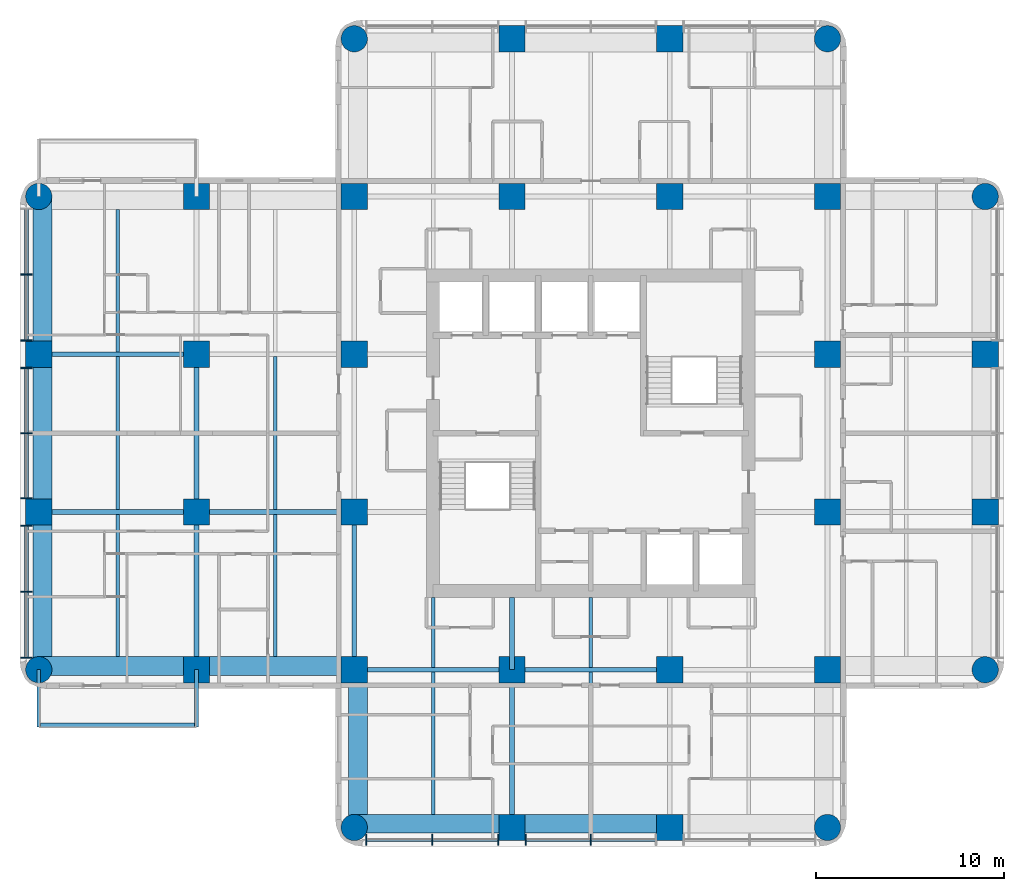
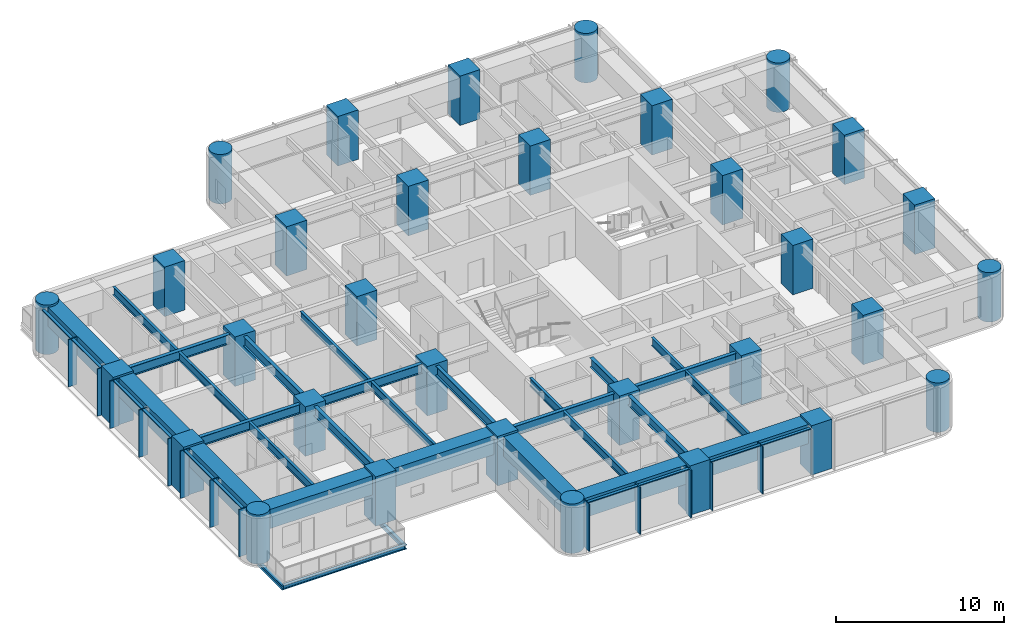
# One storey, part 1 of 12: 32 columns, 30 beams, 23 members, 2 elements without a shape of their own.
"""IFC4 building model written with IfcOpenShell, lengths in metres."""

import ifcopenshell
import ifcopenshell.guid

model = None  # the IFC model being written
_history = None  # IfcOwnerHistory: only IFC2X3 demands one
_inside = {}  # id of a spatial element -> (the spatial element, [elements in it])
_under = {}  # id of a project, library or spatial element -> (it, [spatial elements below it])
_declared = {}  # id of a project -> (the project, [libraries it declares])
_typed = {}  # id of a type object -> (the type object, [elements of that type])
_made_of = {}  # id of a material, layer set ... -> (it, [elements and type objects made of it])


def new_model(schema):
    """Start an empty IFC model of exactly this schema.

    Asked for "IFC4X3", IfcOpenShell would pick the latest addendum, in which some entities
    have other attributes; the version numbers below select the first issue.
    IFC2X3 requires an IfcOwnerHistory on every rooted entity: one is made here for all.
    """
    global model, _history
    if schema == "IFC4X3":
        model = ifcopenshell.file(schema_version=(4, 3, 0, 0))
    else:
        model = ifcopenshell.file(schema=schema)
    _inside.clear()
    _under.clear()
    _declared.clear()
    _typed.clear()
    _made_of.clear()
    _history = None
    if model.schema == "IFC2X3":
        org = make("IfcOrganization", Name="unknown")
        user = make(
            "IfcPersonAndOrganization",
            ThePerson=make("IfcPerson", FamilyName="unknown"),
            TheOrganization=org,
        )
        app = make(
            "IfcApplication",
            ApplicationDeveloper=org,
            Version="unknown",
            ApplicationFullName="unknown",
            ApplicationIdentifier="unknown",
        )
        _history = make(
            "IfcOwnerHistory",
            OwningUser=user,
            OwningApplication=app,
            ChangeAction="ADDED",
            CreationDate=0,
        )
    return model


def make(cls, **values):
    """One entity of the class cls with the attributes given. An attribute that is None is left unset."""
    return model.create_entity(
        cls, **{name: value for name, value in values.items() if value is not None}
    )


def rooted(cls, **values):
    """An entity with a GlobalId (a new one), such as an element, a storey or a relation."""
    return make(cls, GlobalId=ifcopenshell.guid.new(), OwnerHistory=_history, **values)


def si_unit(unit_type, name, prefix=None):
    """IfcSIUnit, for example si_unit("LENGTHUNIT", "METRE", prefix="MILLI")."""
    return make("IfcSIUnit", UnitType=unit_type, Prefix=prefix, Name=name)


def assignment(units):
    """IfcUnitAssignment: the units of a project."""
    return None if units is None else make("IfcUnitAssignment", Units=units)


def point(xyz):
    """IfcCartesianPoint."""
    return None if xyz is None else make("IfcCartesianPoint", Coordinates=xyz)


def direction(xyz):
    """IfcDirection."""
    return None if xyz is None else make("IfcDirection", DirectionRatios=xyz)


def frame(location, z_axis=None, x_axis=None):
    """IfcAxis2Placement3D, a coordinate frame: its origin and axes. An axis left out is left unset."""
    return make(
        "IfcAxis2Placement3D",
        Location=point(location),
        Axis=direction(z_axis),
        RefDirection=direction(x_axis),
    )


def frame_2d(location, x_axis=None):
    """IfcAxis2Placement2D, a coordinate frame in the plane: its origin and x axis."""
    return make(
        "IfcAxis2Placement2D", Location=point(location), RefDirection=direction(x_axis)
    )


def origin():
    """The frame at (0, 0, 0) with its axes left unset."""
    return frame((0.0, 0.0, 0.0))


def origin_2d():
    """The frame at (0, 0) in the plane with its x axis left unset."""
    return frame_2d((0.0, 0.0))


def place(relative_to, where):
    """IfcLocalPlacement: puts the frame where relative to a parent placement (None: the world)."""
    return make(
        "IfcLocalPlacement", PlacementRelTo=relative_to, RelativePlacement=where
    )


def context(
    kind, dimensions, precision=None, world=None, true_north=None, identifier=None
):
    """IfcGeometricRepresentationContext, for example the 3D "Model" context."""
    return make(
        "IfcGeometricRepresentationContext",
        ContextIdentifier=identifier,
        ContextType=kind,
        CoordinateSpaceDimension=dimensions,
        Precision=precision,
        WorldCoordinateSystem=world,
        TrueNorth=true_north,
    )


def subcontext(parent, identifier, kind, view, scale=None):
    """IfcGeometricRepresentationSubContext, for example "Body" below "Model"."""
    return make(
        "IfcGeometricRepresentationSubContext",
        ContextIdentifier=identifier,
        ContextType=kind,
        ParentContext=parent,
        TargetScale=scale,
        TargetView=view,
    )


def project(units=None, contexts=None):
    """IfcProject with its units and contexts."""
    return rooted(
        "IfcProject",
        Name="project",
        RepresentationContexts=contexts,
        UnitsInContext=assignment(units),
    )


def spatial(cls, under=None, at=None, **own):
    """A site, building, storey or space (cls), placed at a placement, below another one or the project."""
    s = rooted(cls, ObjectPlacement=at, **own)
    if under is not None:
        _under.setdefault(under.id(), (under, []))[1].append(s)
    return s


def profile(cls, at=None, kind="AREA", **sizes):
    """A parametric profile (cls). Its sizes go by their IFC names, for example OverallWidth=200.0."""
    return make(cls, ProfileType=kind, Position=at, **sizes)


def rectangle(**sizes):
    """IfcRectangleProfileDef."""
    return profile("IfcRectangleProfileDef", **sizes)


def circle(**sizes):
    """IfcCircleProfileDef."""
    return profile("IfcCircleProfileDef", **sizes)


def i_section(**sizes):
    """IfcIShapeProfileDef."""
    return profile("IfcIShapeProfileDef", **sizes)


def extrude(swept, where, along, depth):
    """IfcExtrudedAreaSolid: the profile swept, set in the frame where, extruded along a direction by depth."""
    return make(
        "IfcExtrudedAreaSolid",
        SweptArea=swept,
        Position=where,
        ExtrudedDirection=direction(along),
        Depth=depth,
    )


def shape(context_of_items, identifier, shape_type, items):
    """IfcShapeRepresentation: the items that make up one representation, for example the "Body"."""
    return make(
        "IfcShapeRepresentation",
        ContextOfItems=context_of_items,
        RepresentationIdentifier=identifier,
        RepresentationType=shape_type,
        Items=items,
    )


def material(Name=None, Category=None):
    """IfcMaterial."""
    return make("IfcMaterial", Name=Name, Category=Category)


def material_profile(
    of_material, cross_section, Name=None, Category=None, Priority=None
):
    """IfcMaterialProfile: a cross section and its material."""
    return make(
        "IfcMaterialProfile",
        Name=Name,
        Material=of_material,
        Profile=cross_section,
        Priority=Priority,
        Category=Category,
    )


def profile_set(profiles, Name=None, composite=None):
    """IfcMaterialProfileSet."""
    return make(
        "IfcMaterialProfileSet",
        Name=Name,
        MaterialProfiles=profiles,
        CompositeProfile=composite,
    )


def made_of(thing, what):
    """Note that an element or type object is made of a material, layer set ...; save() writes the relation."""
    if what is not None:
        _made_of.setdefault(what.id(), (what, []))[1].append(thing)
    return thing


def type_object(cls, material=None, **own):
    """A type object (cls), such as IfcWallType, which elements share."""
    return made_of(rooted(cls, **own), material)


def element(
    cls,
    number,
    at=None,
    inside=None,
    cuts=None,
    type_object=None,
    material=None,
    context=None,
    identifier="Body",
    shape_type=None,
    held_by="IfcProductDefinitionShape",
    body=None,
    shapes=None,
    **own,
):
    """One element of the class cls, such as IfcWall. Its Tag is "e" and its number.

    at: its placement. inside: the storey or other place that contains it. cuts: it is an
    opening in that element (IfcRelVoidsElement). A single representation is given by context,
    identifier, shape_type and body (its items); several are given by shapes. held_by: the class
    of the entity that holds the representations. save() writes the other relations.
    """
    e = rooted(cls, Tag="e%d" % number, ObjectPlacement=at, **own)
    if body is not None:
        shapes = [shape(context, identifier, shape_type, body)]
    if shapes is not None:
        e.Representation = make(held_by, Representations=shapes)
    if inside is not None:
        _inside.setdefault(inside.id(), (inside, []))[1].append(e)
    if cuts is not None:
        rooted(
            "IfcRelVoidsElement", RelatingBuildingElement=cuts, RelatedOpeningElement=e
        )
    if type_object is not None:
        _typed.setdefault(type_object.id(), (type_object, []))[1].append(e)
    return made_of(e, material)


def aggregate(whole, parts):
    """IfcRelAggregates: a whole, such as a stair, and the parts it consists of."""
    return rooted("IfcRelAggregates", RelatingObject=whole, RelatedObjects=parts)


def save(model, path):
    """Write the relations noted so far, then the file.

    IfcRelAggregates (storeys below a building ...), IfcRelContainedInSpatialStructure (elements
    in a storey), IfcRelDefinesByType, IfcRelAssociatesMaterial and IfcRelDeclares: one each for
    every whole, place, type object, material and project.
    """
    for whole, parts in _under.values():
        aggregate(whole, parts)
    for where, things in _inside.values():
        rooted(
            "IfcRelContainedInSpatialStructure",
            RelatedElements=things,
            RelatingStructure=where,
        )
    for kind, things in _typed.values():
        rooted("IfcRelDefinesByType", RelatedObjects=things, RelatingType=kind)
    for what, things in _made_of.values():
        rooted("IfcRelAssociatesMaterial", RelatedObjects=things, RelatingMaterial=what)
    for by, libraries in _declared.values():
        rooted("IfcRelDeclares", RelatingContext=by, RelatedDefinitions=libraries)
    model.write(path)


model = new_model("IFC4")

# Units and contexts
model_context = context("Model", 3, precision=1e-05, world=origin(), true_north=direction((0.0, 1.0)))
body_context = subcontext(model_context, "Body", "Model", "MODEL_VIEW")
ifc_project = project(units=[si_unit("LENGTHUNIT", "METRE"), si_unit("AREAUNIT", "SQUARE_METRE"), si_unit("VOLUMEUNIT", "CUBIC_METRE"), si_unit("PLANEANGLEUNIT", "RADIAN"), si_unit("MASSUNIT", "GRAM", prefix="KILO")], contexts=[model_context])

# Site, building, storey
site_placement = place(None, origin())
site = spatial("IfcSite", under=ifc_project, at=site_placement, CompositionType="ELEMENT")
building_placement = place(site_placement, origin())
building = spatial("IfcBuilding", under=site, at=building_placement, Name="Torre Alcanfor", CompositionType="ELEMENT")
storey_placement = place(building_placement, frame((0.0, 0.0, 226.5)))
storey = spatial("IfcBuildingStorey", under=building, at=storey_placement, Name="L59", CompositionType="ELEMENT", Elevation=226.5)

# Columns
ifc_material_1 = material(Name="Concrete f'c 70 MPa", Category="concrete")
ifc_material_profile_1 = material_profile(ifc_material_1, rectangle(XDim=1.39990234375, YDim=1.39990234375, at=origin_2d()), Name="1400x1400")
ifc_profile_set_1 = profile_set([ifc_material_profile_1], Name="Concrete f'c 70 MPa")
column_type_1 = type_object("IfcColumnType", Name="RC column 1400x1400 f'c70", PredefinedType="COLUMN", material=ifc_profile_set_1)
for number, where, z_axis, x_axis, name in (
    (1, (0.0, 25.199951171875, 0.0), (0.0, 0.0, 1.0), (1.0, 0.0, 0.0), "Column 1/F L59"),
    (2, (0.0, 33.60009765625, 0.0), (0.0, 0.0, 1.0), (1.0, 0.0, 0.0), "Column 1/G L59"),
    (3, (8.39990234375, 16.800048828125, 0.0), (0.0, 0.0, 1.0), (1.0, 0.0, 0.0), "Column 2/E L59"),
    (4, (8.39990234375, 25.199951171875, 0.0), (0.0, 0.0, 1.0), (1.0, 0.0, 0.0), "Column 2/F L59"),
    (5, (8.39990234375, 33.60009765625, 0.0), (0.0, 0.0, 1.0), (1.0, 0.0, 0.0), "Column 2/G L59"),
    (6, (8.39990234375, 42.0, 0.0), (0.0, 0.0, 1.0), (1.0, 0.0, 0.0), "Column 2/H L59"),
    (7, (16.800048828125, 16.800048828125, 0.0), (0.0, 0.0, 1.0), (1.0, 0.0, 0.0), "Column 3/E L59"),
    (8, (16.800048828125, 25.199951171875, 0.0), (0.0, 0.0, 1.0), (1.0, 0.0, 0.0), "Column 3/F L59"),
    (9, (16.800048828125, 33.60009765625, 0.0), (0.0, 0.0, 1.0), (1.0, 0.0, 0.0), "Column 3/G L59"),
    (10, (16.800048828125, 42.0, 0.0), (0.0, 0.0, 1.0), (1.0, 0.0, 0.0), "Column 3/H L59"),
    (11, (25.199951171875, 8.39990234375, 0.0), (0.0, 0.0, 1.0), (1.0, 0.0, 0.0), "Column 4/D L59"),
    (12, (25.199951171875, 16.800048828125, 0.0), (0.0, 0.0, 1.0), (1.0, 0.0, 0.0), "Column 4/E L59"),
    (13, (25.199951171875, 42.0, 0.0), (0.0, 0.0, 1.0), (1.0, 0.0, 0.0), "Column 4/H L59"),
    (14, (25.199951171875, 50.39990234375, 0.0), (0.0, 0.0, 1.0), (1.0, 0.0, 0.0), "Column 4/J L59"),
    (15, (33.60009765625, 8.39990234375, 0.0), (0.0, 0.0, 1.0), (1.0, 0.0, 0.0), "Column 5/D L59"),
    (16, (33.60009765625, 16.800048828125, 0.0), (0.0, 0.0, 1.0), (1.0, 0.0, 0.0), "Column 5/E L59"),
    (17, (33.60009765625, 42.0, 0.0), (0.0, 0.0, 1.0), (1.0, 0.0, 0.0), "Column 5/H L59"),
    (18, (33.60009765625, 50.39990234375, 0.0), (0.0, 0.0, 1.0), (1.0, 0.0, 0.0), "Column 5/J L59"),
    (19, (42.0, 16.800048828125, 0.0), (0.0, 0.0, 1.0), (1.0, 0.0, 0.0), "Column 6/E L59"),
    (20, (42.0, 25.199951171875, 0.0), (0.0, 0.0, 1.0), (1.0, 0.0, 0.0), "Column 6/F L59"),
    (21, (42.0, 33.60009765625, 0.0), (0.0, 0.0, 1.0), (1.0, 0.0, 0.0), "Column 6/G L59"),
    (22, (42.0, 42.0, 0.0), (0.0, 0.0, 1.0), (1.0, 0.0, 0.0), "Column 6/H L59"),
    (23, (50.39990234375, 25.199951171875, 0.0), (0.0, 0.0, 1.0), (1.0, 0.0, 0.0), "Column 7/F L59"),
    (24, (50.39990234375, 33.60009765625, 0.0), (0.0, 0.0, 1.0), (1.0, 0.0, 0.0), "Column 7/G L59"),
):
    element("IfcColumn", number, at=place(storey_placement, frame(where, z_axis=z_axis, x_axis=x_axis)), inside=storey, type_object=column_type_1, Name=name, PredefinedType="COLUMN", context=body_context, shape_type="SweptSolid", body=[
        extrude(rectangle(XDim=1.39990234375, YDim=1.39990234375, at=origin_2d()), origin(), (0.0, 0.0, 1.0), 3.60009765625),
    ])
ifc_material_2 = material(Name="Concrete f'c 70 MPa", Category="concrete")
ifc_material_profile_2 = material_profile(ifc_material_2, circle(Radius=0.699951171875, at=origin_2d()), Name="D1400")
ifc_profile_set_2 = profile_set([ifc_material_profile_2], Name="Concrete f'c 70 MPa")
column_type_2 = type_object("IfcColumnType", Name="RC column D1400 f'c70", PredefinedType="COLUMN", material=ifc_profile_set_2)
for number, where, z_axis, x_axis, name in (
    (25, (0.0, 16.800048828125, 0.0), (0.0, 0.0, 1.0), (1.0, 0.0, 0.0), "Column 1/E L59"),
    (26, (0.0, 42.0, 0.0), (0.0, 0.0, 1.0), (1.0, 0.0, 0.0), "Column 1/H L59"),
    (27, (16.800048828125, 8.39990234375, 0.0), (0.0, 0.0, 1.0), (1.0, 0.0, 0.0), "Column 3/D L59"),
    (28, (16.800048828125, 50.39990234375, 0.0), (0.0, 0.0, 1.0), (1.0, 0.0, 0.0), "Column 3/J L59"),
    (29, (42.0, 8.39990234375, 0.0), (0.0, 0.0, 1.0), (1.0, 0.0, 0.0), "Column 6/D L59"),
    (30, (42.0, 50.39990234375, 0.0), (0.0, 0.0, 1.0), (1.0, 0.0, 0.0), "Column 6/J L59"),
    (31, (50.39990234375, 16.800048828125, 0.0), (0.0, 0.0, 1.0), (1.0, 0.0, 0.0), "Column 7/E L59"),
    (32, (50.39990234375, 42.0, 0.0), (0.0, 0.0, 1.0), (1.0, 0.0, 0.0), "Column 7/H L59"),
):
    element("IfcColumn", number, at=place(storey_placement, frame(where, z_axis=z_axis, x_axis=x_axis)), inside=storey, type_object=column_type_2, Name=name, PredefinedType="COLUMN", context=body_context, shape_type="SweptSolid", body=[
        extrude(circle(Radius=0.699951171875, at=origin_2d()), origin(), (0.0, 0.0, 1.0), 3.60009765625),
    ])

# Beams
ifc_material_3 = material(Name="Steel ASTM A992 Grade 50", Category="steel")
ifc_material_profile_3 = material_profile(ifc_material_3, i_section(OverallWidth=0.205322265625, OverallDepth=0.309814453125, WebThickness=0.00927734375, FlangeThickness=0.016357421875, at=origin_2d()), Name="W12x50")
ifc_profile_set_3 = profile_set([ifc_material_profile_3], Name="Steel ASTM A992 Grade 50")
beam_type_1 = type_object("IfcBeamType", Name="Balcony cantilever beam W12x50", PredefinedType="BEAM", material=ifc_profile_set_3)
for number, where, z_axis, x_axis, name in (
    (33, (8.39990234375, 16.800048828125, -0.35498046875), (0.0, -1.0, 0.0), (1.0, 0.0, 0.0), "Balcony cantilever beam L59-W1 1"),
    (34, (0.0, 16.800048828125, -0.35498046875), (0.0, -1.0, 0.0), (1.0, 0.0, 0.0), "Balcony cantilever beam L59-W1 2"),
):
    element("IfcBeam", number, at=place(storey_placement, frame(where, z_axis=z_axis, x_axis=x_axis)), inside=storey, type_object=beam_type_1, Name=name, PredefinedType="BEAM", context=body_context, shape_type="SweptSolid", body=[
        extrude(i_section(OverallWidth=0.205322265625, OverallDepth=0.309814453125, WebThickness=0.00927734375, FlangeThickness=0.016357421875, at=origin_2d()), origin(), (0.0, 0.0, 1.0), 3.050048828125),
    ])
ifc_material_4 = material(Name="Steel ASTM A992 Grade 50", Category="steel")
ifc_material_profile_4 = material_profile(ifc_material_4, i_section(OverallWidth=0.203369140625, OverallDepth=0.30224609375, WebThickness=0.007568359375, FlangeThickness=0.01318359375, at=origin_2d()), Name="W12x40")
ifc_profile_set_4 = profile_set([ifc_material_profile_4], Name="Steel ASTM A992 Grade 50")
beam_type_2 = type_object("IfcBeamType", Name="Balcony edge trimmer W12x40", PredefinedType="BEAM", material=ifc_profile_set_4)
beam_1_placement = place(storey_placement, frame((8.39990234375, 13.851806640625, -0.35107421875), z_axis=(-1.0, 0.0, 0.0), x_axis=(0.0, -1.0, 0.0)))
element("IfcBeam", 35, at=beam_1_placement, inside=storey, type_object=beam_type_2, Name="Balcony edge trimmer L59-W1", PredefinedType="BEAM", context=body_context, shape_type="SweptSolid", body=[
    extrude(i_section(OverallWidth=0.203369140625, OverallDepth=0.30224609375, WebThickness=0.007568359375, FlangeThickness=0.01318359375, at=origin_2d()), origin(), (0.0, 0.0, 1.0), 8.39990234375),
])

# Curtain wall, members
ifc_material_5 = material(Name="Aluminium and glass", Category="aluminium")
curtain_wall_type = type_object("IfcCurtainWallType", Name="CW-A unitised apartment glazing with vertical FIN", PredefinedType="NOTDEFINED", material=ifc_material_5)
curtain_wall_1_placement = place(storey_placement, origin())
curtain_wall_1 = element("IfcCurtainWall", 36, at=curtain_wall_1_placement, inside=storey, type_object=curtain_wall_type, Name="Curtain wall CW-A L59 2", PredefinedType="NOTDEFINED")
ifc_material_6 = material(Name="Bronze anodised aluminium", Category="aluminium")
ifc_material_profile_5 = material_profile(ifc_material_6, rectangle(XDim=0.60009765625, YDim=0.06494140625, at=origin_2d()), Name="CW-A mullion 65x600")
ifc_profile_set_5 = profile_set([ifc_material_profile_5], Name="Bronze anodised aluminium")
member_type_1 = type_object("IfcMemberType", Name="CW-A mullion with vertical FIN 65x600", PredefinedType="MULLION", material=ifc_profile_set_5)
member_1_placement = place(storey_placement, frame((-0.64990234375, 37.846435546875, 0.0), z_axis=(0.0, 0.0, 1.0), x_axis=(1.0, 0.0, 0.0)))
member_1 = element("IfcMember", 37, at=member_1_placement, type_object=member_type_1, Name="CW-A mullion 1.2", PredefinedType="MULLION", context=body_context, shape_type="SweptSolid", body=[
    extrude(rectangle(XDim=0.60009765625, YDim=0.06494140625, at=origin_2d()), origin(), (0.0, 0.0, 1.0), 3.449951171875),
])
member_2_placement = place(storey_placement, frame((-0.64990234375, 34.33740234375, 0.0), z_axis=(0.0, 0.0, 1.0), x_axis=(1.0, 0.0, 0.0)))
member_2 = element("IfcMember", 38, at=member_2_placement, type_object=member_type_1, Name="CW-A mullion 1.3", PredefinedType="MULLION", context=body_context, shape_type="SweptSolid", body=[
    extrude(rectangle(XDim=0.60009765625, YDim=0.06494140625, at=origin_2d()), origin(), (0.0, 0.0, 1.0), 3.449951171875),
])
member_3_placement = place(storey_placement, frame((-0.64990234375, 32.862548828125, 0.0), z_axis=(0.0, 0.0, 1.0), x_axis=(1.0, 0.0, 0.0)))
member_3 = element("IfcMember", 39, at=member_3_placement, type_object=member_type_1, Name="CW-A mullion 2.1", PredefinedType="MULLION", context=body_context, shape_type="SweptSolid", body=[
    extrude(rectangle(XDim=0.60009765625, YDim=0.06494140625, at=origin_2d()), origin(), (0.0, 0.0, 1.0), 3.449951171875),
])
member_4_placement = place(storey_placement, frame((-0.64990234375, 29.39990234375, 0.0), z_axis=(0.0, 0.0, 1.0), x_axis=(1.0, 0.0, 0.0)))
member_4 = element("IfcMember", 40, at=member_4_placement, type_object=member_type_1, Name="CW-A mullion 2.2", PredefinedType="MULLION", context=body_context, shape_type="SweptSolid", body=[
    extrude(rectangle(XDim=0.60009765625, YDim=0.06494140625, at=origin_2d()), origin(), (0.0, 0.0, 1.0), 3.449951171875),
])
member_5_placement = place(storey_placement, frame((-0.64990234375, 25.9375, 0.0), z_axis=(0.0, 0.0, 1.0), x_axis=(1.0, 0.0, 0.0)))
member_5 = element("IfcMember", 41, at=member_5_placement, type_object=member_type_1, Name="CW-A mullion 2.3", PredefinedType="MULLION", context=body_context, shape_type="SweptSolid", body=[
    extrude(rectangle(XDim=0.60009765625, YDim=0.06494140625, at=origin_2d()), origin(), (0.0, 0.0, 1.0), 3.449951171875),
])
member_6_placement = place(storey_placement, frame((-0.64990234375, 24.46240234375, 0.0), z_axis=(0.0, 0.0, 1.0), x_axis=(1.0, 0.0, 0.0)))
member_6 = element("IfcMember", 42, at=member_6_placement, type_object=member_type_1, Name="CW-A mullion 3.1", PredefinedType="MULLION", context=body_context, shape_type="SweptSolid", body=[
    extrude(rectangle(XDim=0.60009765625, YDim=0.06494140625, at=origin_2d()), origin(), (0.0, 0.0, 1.0), 3.449951171875),
])
member_7_placement = place(storey_placement, frame((-0.64990234375, 20.95361328125, 0.0), z_axis=(0.0, 0.0, 1.0), x_axis=(1.0, 0.0, 0.0)))
member_7 = element("IfcMember", 43, at=member_7_placement, type_object=member_type_1, Name="CW-A mullion 3.2", PredefinedType="MULLION", context=body_context, shape_type="SweptSolid", body=[
    extrude(rectangle(XDim=0.60009765625, YDim=0.06494140625, at=origin_2d()), origin(), (0.0, 0.0, 1.0), 3.449951171875),
])
member_8_placement = place(storey_placement, frame((-0.64990234375, 17.444580078125, 0.0), z_axis=(0.0, 0.0, 1.0), x_axis=(1.0, 0.0, 0.0)))
member_8 = element("IfcMember", 44, at=member_8_placement, type_object=member_type_1, Name="CW-A mullion 3.3", PredefinedType="MULLION", context=body_context, shape_type="SweptSolid", body=[
    extrude(rectangle(XDim=0.60009765625, YDim=0.06494140625, at=origin_2d()), origin(), (0.0, 0.0, 1.0), 3.449951171875),
])

curtain_wall_2_placement = place(storey_placement, origin())
curtain_wall_2 = element("IfcCurtainWall", 45, at=curtain_wall_2_placement, inside=storey, type_object=curtain_wall_type, Name="Curtain wall CW-A L59 5", PredefinedType="NOTDEFINED")
member_9_placement = place(storey_placement, frame((17.444580078125, 7.75, 0.0), z_axis=(0.0, 0.0, 1.0), x_axis=(0.0, 1.0, 0.0)))
member_9 = element("IfcMember", 46, at=member_9_placement, type_object=member_type_1, Name="CW-A mullion 1.1", PredefinedType="MULLION", context=body_context, shape_type="SweptSolid", body=[
    extrude(rectangle(XDim=0.60009765625, YDim=0.06494140625, at=origin_2d()), origin(), (0.0, 0.0, 1.0), 3.449951171875),
])
member_10_placement = place(storey_placement, frame((20.95361328125, 7.75, 0.0), z_axis=(0.0, 0.0, 1.0), x_axis=(0.0, 1.0, 0.0)))
member_10 = element("IfcMember", 47, at=member_10_placement, type_object=member_type_1, Name="CW-A mullion 1.2", PredefinedType="MULLION", context=body_context, shape_type="SweptSolid", body=[
    extrude(rectangle(XDim=0.60009765625, YDim=0.06494140625, at=origin_2d()), origin(), (0.0, 0.0, 1.0), 3.449951171875),
])
member_11_placement = place(storey_placement, frame((24.46240234375, 7.75, 0.0), z_axis=(0.0, 0.0, 1.0), x_axis=(0.0, 1.0, 0.0)))
member_11 = element("IfcMember", 48, at=member_11_placement, type_object=member_type_1, Name="CW-A mullion 1.3", PredefinedType="MULLION", context=body_context, shape_type="SweptSolid", body=[
    extrude(rectangle(XDim=0.60009765625, YDim=0.06494140625, at=origin_2d()), origin(), (0.0, 0.0, 1.0), 3.449951171875),
])
member_12_placement = place(storey_placement, frame((25.9375, 7.75, 0.0), z_axis=(0.0, 0.0, 1.0), x_axis=(0.0, 1.0, 0.0)))
member_12 = element("IfcMember", 49, at=member_12_placement, type_object=member_type_1, Name="CW-A mullion 2.1", PredefinedType="MULLION", context=body_context, shape_type="SweptSolid", body=[
    extrude(rectangle(XDim=0.60009765625, YDim=0.06494140625, at=origin_2d()), origin(), (0.0, 0.0, 1.0), 3.449951171875),
])
member_13_placement = place(storey_placement, frame((29.39990234375, 7.75, 0.0), z_axis=(0.0, 0.0, 1.0), x_axis=(0.0, 1.0, 0.0)))
member_13 = element("IfcMember", 50, at=member_13_placement, type_object=member_type_1, Name="CW-A mullion 2.2", PredefinedType="MULLION", context=body_context, shape_type="SweptSolid", body=[
    extrude(rectangle(XDim=0.60009765625, YDim=0.06494140625, at=origin_2d()), origin(), (0.0, 0.0, 1.0), 3.449951171875),
])

# Member
ifc_material_7 = material(Name="Extruded aluminium", Category="aluminium")
ifc_material_profile_6 = material_profile(ifc_material_7, rectangle(XDim=0.199951171875, YDim=0.06494140625, at=origin_2d()), Name="CW-A transom 200x65")
ifc_profile_set_6 = profile_set([ifc_material_profile_6], Name="Extruded aluminium")
member_type_2 = type_object("IfcMemberType", Name="CW-A transom 65x200", PredefinedType="USERDEFINED", material=ifc_profile_set_6)
member_14_placement = place(storey_placement, frame((-0.64990234375, 41.322998046875, 3.41748046875), z_axis=(0.0, -1.0, 0.0), x_axis=(1.0, 0.0, 0.0)))
member_14 = element("IfcMember", 51, at=member_14_placement, type_object=member_type_2, Name="CW-A transom 1.1.2", ObjectType="TRANSOM", PredefinedType="USERDEFINED", context=body_context, shape_type="SweptSolid", body=[
    extrude(rectangle(XDim=0.199951171875, YDim=0.06494140625, at=origin_2d()), origin(), (0.0, 0.0, 1.0), 3.444091796875),
])

member_15_placement = place(storey_placement, frame((-0.64990234375, 37.81396484375, 3.41748046875), z_axis=(0.0, -1.0, 0.0), x_axis=(1.0, 0.0, 0.0)))
member_15 = element("IfcMember", 52, at=member_15_placement, type_object=member_type_2, Name="CW-A transom 1.2.2", ObjectType="TRANSOM", PredefinedType="USERDEFINED", context=body_context, shape_type="SweptSolid", body=[
    extrude(rectangle(XDim=0.199951171875, YDim=0.06494140625, at=origin_2d()), origin(), (0.0, 0.0, 1.0), 3.44384765625),
])

member_16_placement = place(storey_placement, frame((-0.64990234375, 32.830078125, 3.41748046875), z_axis=(0.0, -1.0, 0.0), x_axis=(1.0, 0.0, 0.0)))
member_16 = element("IfcMember", 53, at=member_16_placement, type_object=member_type_2, Name="CW-A transom 2.1.2", ObjectType="TRANSOM", PredefinedType="USERDEFINED", context=body_context, shape_type="SweptSolid", body=[
    extrude(rectangle(XDim=0.199951171875, YDim=0.06494140625, at=origin_2d()), origin(), (0.0, 0.0, 1.0), 3.3974609375),
])

member_17_placement = place(storey_placement, frame((-0.64990234375, 29.367431640625, 3.41748046875), z_axis=(0.0, -1.0, 0.0), x_axis=(1.0, 0.0, 0.0)))
member_17 = element("IfcMember", 54, at=member_17_placement, type_object=member_type_2, Name="CW-A transom 2.2.2", ObjectType="TRANSOM", PredefinedType="USERDEFINED", context=body_context, shape_type="SweptSolid", body=[
    extrude(rectangle(XDim=0.199951171875, YDim=0.06494140625, at=origin_2d()), origin(), (0.0, 0.0, 1.0), 3.3974609375),
])

member_18_placement = place(storey_placement, frame((-0.64990234375, 24.429931640625, 3.41748046875), z_axis=(0.0, -1.0, 0.0), x_axis=(1.0, 0.0, 0.0)))
member_18 = element("IfcMember", 55, at=member_18_placement, type_object=member_type_2, Name="CW-A transom 3.1.2", ObjectType="TRANSOM", PredefinedType="USERDEFINED", context=body_context, shape_type="SweptSolid", body=[
    extrude(rectangle(XDim=0.199951171875, YDim=0.06494140625, at=origin_2d()), origin(), (0.0, 0.0, 1.0), 3.44384765625),
])

member_19_placement = place(storey_placement, frame((-0.64990234375, 20.9208984375, 3.41748046875), z_axis=(0.0, -1.0, 0.0), x_axis=(1.0, 0.0, 0.0)))
member_19 = element("IfcMember", 56, at=member_19_placement, type_object=member_type_2, Name="CW-A transom 3.2.2", ObjectType="TRANSOM", PredefinedType="USERDEFINED", context=body_context, shape_type="SweptSolid", body=[
    extrude(rectangle(XDim=0.199951171875, YDim=0.06494140625, at=origin_2d()), origin(), (0.0, 0.0, 1.0), 3.44384765625),
])

aggregate(curtain_wall_1, [member_1, member_2, member_14, member_15, member_3, member_4, member_5, member_16, member_17, member_6, member_7, member_8, member_18, member_19])

member_20_placement = place(storey_placement, frame((17.47705078125, 7.75, 3.41748046875), z_axis=(1.0, 0.0, 0.0), x_axis=(0.0, 1.0, 0.0)))
member_20 = element("IfcMember", 57, at=member_20_placement, type_object=member_type_2, Name="CW-A transom 1.1.2", ObjectType="TRANSOM", PredefinedType="USERDEFINED", context=body_context, shape_type="SweptSolid", body=[
    extrude(rectangle(XDim=0.199951171875, YDim=0.06494140625, at=origin_2d()), origin(), (0.0, 0.0, 1.0), 3.44384765625),
])

member_21_placement = place(storey_placement, frame((20.986083984375, 7.75, 3.41748046875), z_axis=(1.0, 0.0, 0.0), x_axis=(0.0, 1.0, 0.0)))
member_21 = element("IfcMember", 58, at=member_21_placement, type_object=member_type_2, Name="CW-A transom 1.2.2", ObjectType="TRANSOM", PredefinedType="USERDEFINED", context=body_context, shape_type="SweptSolid", body=[
    extrude(rectangle(XDim=0.199951171875, YDim=0.06494140625, at=origin_2d()), origin(), (0.0, 0.0, 1.0), 3.44384765625),
])

member_22_placement = place(storey_placement, frame((25.969970703125, 7.75, 3.41748046875), z_axis=(1.0, 0.0, 0.0), x_axis=(0.0, 1.0, 0.0)))
member_22 = element("IfcMember", 59, at=member_22_placement, type_object=member_type_2, Name="CW-A transom 2.1.2", ObjectType="TRANSOM", PredefinedType="USERDEFINED", context=body_context, shape_type="SweptSolid", body=[
    extrude(rectangle(XDim=0.199951171875, YDim=0.06494140625, at=origin_2d()), origin(), (0.0, 0.0, 1.0), 3.3974609375),
])

member_23_placement = place(storey_placement, frame((29.4326171875, 7.75, 3.41748046875), z_axis=(1.0, 0.0, 0.0), x_axis=(0.0, 1.0, 0.0)))
member_23 = element("IfcMember", 60, at=member_23_placement, type_object=member_type_2, Name="CW-A transom 2.2.2", ObjectType="TRANSOM", PredefinedType="USERDEFINED", context=body_context, shape_type="SweptSolid", body=[
    extrude(rectangle(XDim=0.199951171875, YDim=0.06494140625, at=origin_2d()), origin(), (0.0, 0.0, 1.0), 3.3974609375),
])

aggregate(curtain_wall_2, [member_9, member_10, member_11, member_20, member_21, member_12, member_13, member_22, member_23])

# Beams
ifc_material_8 = material(Name="Steel ASTM A992 Grade 50", Category="steel")
ifc_material_profile_7 = material_profile(ifc_material_8, i_section(OverallWidth=0.25390625, OverallDepth=0.683349609375, WebThickness=0.012451171875, FlangeThickness=0.01904296875, at=origin_2d()), Name="W27x94")
ifc_profile_set_7 = profile_set([ifc_material_profile_7], Name="Steel ASTM A992 Grade 50")
beam_type_3 = type_object("IfcBeamType", Name="Girder W27x94", PredefinedType="BEAM", material=ifc_profile_set_7)
beam_2_placement = place(storey_placement, frame((16.800048828125, 16.800048828125, 3.1083984375), z_axis=(1.0, 0.0, 0.0), x_axis=(0.0, 1.0, 0.0)))
element("IfcBeam", 61, at=beam_2_placement, inside=storey, type_object=beam_type_3, Name="Beam 3E-4E under L60", PredefinedType="BEAM", context=body_context, shape_type="SweptSolid", body=[
    extrude(i_section(OverallWidth=0.25390625, OverallDepth=0.683349609375, WebThickness=0.012451171875, FlangeThickness=0.01904296875, at=origin_2d()), origin(), (0.0, 0.0, 1.0), 8.39990234375),
])
beam_3_placement = place(storey_placement, frame((25.199951171875, 16.800048828125, 3.1083984375), z_axis=(1.0, 0.0, 0.0), x_axis=(0.0, 1.0, 0.0)))
element("IfcBeam", 62, at=beam_3_placement, inside=storey, type_object=beam_type_3, Name="Beam 4E-5E under L60", PredefinedType="BEAM", context=body_context, shape_type="SweptSolid", body=[
    extrude(i_section(OverallWidth=0.25390625, OverallDepth=0.683349609375, WebThickness=0.012451171875, FlangeThickness=0.01904296875, at=origin_2d()), origin(), (0.0, 0.0, 1.0), 8.400146484375),
])
beam_4_placement = place(storey_placement, frame((0.0, 25.199951171875, 3.1083984375), z_axis=(1.0, 0.0, 0.0), x_axis=(0.0, 1.0, 0.0)))
element("IfcBeam", 63, at=beam_4_placement, inside=storey, type_object=beam_type_3, Name="Beam 1F-2F under L60", PredefinedType="BEAM", context=body_context, shape_type="SweptSolid", body=[
    extrude(i_section(OverallWidth=0.25390625, OverallDepth=0.683349609375, WebThickness=0.012451171875, FlangeThickness=0.01904296875, at=origin_2d()), origin(), (0.0, 0.0, 1.0), 8.39990234375),
])
beam_5_placement = place(storey_placement, frame((8.39990234375, 25.199951171875, 3.1083984375), z_axis=(1.0, 0.0, 0.0), x_axis=(0.0, 1.0, 0.0)))
element("IfcBeam", 64, at=beam_5_placement, inside=storey, type_object=beam_type_3, Name="Beam 2F-3F under L60", PredefinedType="BEAM", context=body_context, shape_type="SweptSolid", body=[
    extrude(i_section(OverallWidth=0.25390625, OverallDepth=0.683349609375, WebThickness=0.012451171875, FlangeThickness=0.01904296875, at=origin_2d()), origin(), (0.0, 0.0, 1.0), 8.400146484375),
])
for number, where, z_axis, x_axis, name in (
    (65, (0.0, 33.60009765625, 3.1083984375), (1.0, 0.0, 0.0), (0.0, 1.0, 0.0), "Beam 1G-2G under L60"),
    (66, (8.39990234375, 16.800048828125, 3.1083984375), (0.0, 1.0, 0.0), (-1.0, 0.0, 0.0), "Beam 2E-2F under L60"),
):
    element("IfcBeam", number, at=place(storey_placement, frame(where, z_axis=z_axis, x_axis=x_axis)), inside=storey, type_object=beam_type_3, Name=name, PredefinedType="BEAM", context=body_context, shape_type="SweptSolid", body=[
        extrude(i_section(OverallWidth=0.25390625, OverallDepth=0.683349609375, WebThickness=0.012451171875, FlangeThickness=0.01904296875, at=origin_2d()), origin(), (0.0, 0.0, 1.0), 8.39990234375),
    ])
beam_6_placement = place(storey_placement, frame((8.39990234375, 25.199951171875, 3.1083984375), z_axis=(0.0, 1.0, 0.0), x_axis=(-1.0, 0.0, 0.0)))
element("IfcBeam", 67, at=beam_6_placement, inside=storey, type_object=beam_type_3, Name="Beam 2F-2G under L60", PredefinedType="BEAM", context=body_context, shape_type="SweptSolid", body=[
    extrude(i_section(OverallWidth=0.25390625, OverallDepth=0.683349609375, WebThickness=0.012451171875, FlangeThickness=0.01904296875, at=origin_2d()), origin(), (0.0, 0.0, 1.0), 8.400146484375),
])
beam_7_placement = place(storey_placement, frame((16.800048828125, 16.800048828125, 3.1083984375), z_axis=(0.0, 1.0, 0.0), x_axis=(-1.0, 0.0, 0.0)))
element("IfcBeam", 68, at=beam_7_placement, inside=storey, type_object=beam_type_3, Name="Beam 3E-3F under L60", PredefinedType="BEAM", context=body_context, shape_type="SweptSolid", body=[
    extrude(i_section(OverallWidth=0.25390625, OverallDepth=0.683349609375, WebThickness=0.012451171875, FlangeThickness=0.01904296875, at=origin_2d()), origin(), (0.0, 0.0, 1.0), 8.39990234375),
])
beam_8_placement = place(storey_placement, frame((25.199951171875, 8.39990234375, 3.1083984375), z_axis=(0.0, 1.0, 0.0), x_axis=(-1.0, 0.0, 0.0)))
element("IfcBeam", 69, at=beam_8_placement, inside=storey, type_object=beam_type_3, Name="Beam 4D-4E under L60", PredefinedType="BEAM", context=body_context, shape_type="SweptSolid", body=[
    extrude(i_section(OverallWidth=0.25390625, OverallDepth=0.683349609375, WebThickness=0.012451171875, FlangeThickness=0.01904296875, at=origin_2d()), origin(), (0.0, 0.0, 1.0), 8.400146484375),
])
ifc_material_9 = material(Name="Steel ASTM A992 Grade 50", Category="steel")
ifc_material_profile_8 = material_profile(ifc_material_9, i_section(OverallWidth=0.25390625, OverallDepth=0.683349609375, WebThickness=0.012451171875, FlangeThickness=0.01904296875, at=origin_2d()), Name="W27x94")
ifc_profile_set_8 = profile_set([ifc_material_profile_8], Name="Steel ASTM A992 Grade 50")
beam_type_4 = type_object("IfcBeamType", Name="Girder, part bay W27x94", PredefinedType="BEAM", material=ifc_profile_set_8)
beam_9_placement = place(storey_placement, frame((25.199951171875, 16.800048828125, 3.1083984375), z_axis=(0.0, 1.0, 0.0), x_axis=(-1.0, 0.0, 0.0)))
element("IfcBeam", 70, at=beam_9_placement, inside=storey, type_object=beam_type_4, Name="Beam 4E-420_65 under L60", PredefinedType="BEAM", context=body_context, shape_type="SweptSolid", body=[
    extrude(i_section(OverallWidth=0.25390625, OverallDepth=0.683349609375, WebThickness=0.012451171875, FlangeThickness=0.01904296875, at=origin_2d()), origin(), (0.0, 0.0, 1.0), 3.849853515625),
])
ifc_material_10 = material(Name="Concrete f'c 70 MPa", Category="concrete")
ifc_material_profile_9 = material_profile(ifc_material_10, rectangle(XDim=1.0, YDim=1.39990234375, at=origin_2d()), Name="1000x1400")
ifc_profile_set_9 = profile_set([ifc_material_profile_9], Name="Concrete f'c 70 MPa")
beam_type_5 = type_object("IfcBeamType", Name="RC perimeter beam 1000x1400", PredefinedType="BEAM", material=ifc_profile_set_9)
beam_10_placement = place(storey_placement, frame((16.800048828125, 8.60009765625, 2.75), z_axis=(1.0, 0.0, 0.0), x_axis=(0.0, 1.0, 0.0)))
element("IfcBeam", 71, at=beam_10_placement, inside=storey, type_object=beam_type_5, Name="Beam 3D-4D under L60", PredefinedType="BEAM", context=body_context, shape_type="SweptSolid", body=[
    extrude(rectangle(XDim=1.0, YDim=1.39990234375, at=origin_2d()), origin(), (0.0, 0.0, 1.0), 8.27294921875),
])
beam_11_placement = place(storey_placement, frame((25.326904296875, 8.60009765625, 2.75), z_axis=(1.0, 0.0, 0.0), x_axis=(0.0, 1.0, 0.0)))
element("IfcBeam", 72, at=beam_11_placement, inside=storey, type_object=beam_type_5, Name="Beam 4D-5D under L60", PredefinedType="BEAM", context=body_context, shape_type="SweptSolid", body=[
    extrude(rectangle(XDim=1.0, YDim=1.39990234375, at=origin_2d()), origin(), (0.0, 0.0, 1.0), 8.14599609375),
])
beam_12_placement = place(storey_placement, frame((0.0, 17.0, 2.75), z_axis=(1.0, 0.0, 0.0), x_axis=(0.0, 1.0, 0.0)))
element("IfcBeam", 73, at=beam_12_placement, inside=storey, type_object=beam_type_5, Name="Beam 1E-2E under L60", PredefinedType="BEAM", context=body_context, shape_type="SweptSolid", body=[
    extrude(rectangle(XDim=1.0, YDim=1.39990234375, at=origin_2d()), origin(), (0.0, 0.0, 1.0), 8.27294921875),
])
beam_13_placement = place(storey_placement, frame((8.527099609375, 17.0, 2.75), z_axis=(1.0, 0.0, 0.0), x_axis=(0.0, 1.0, 0.0)))
element("IfcBeam", 74, at=beam_13_placement, inside=storey, type_object=beam_type_5, Name="Beam 2E-3E under L60", PredefinedType="BEAM", context=body_context, shape_type="SweptSolid", body=[
    extrude(rectangle(XDim=1.0, YDim=1.39990234375, at=origin_2d()), origin(), (0.0, 0.0, 1.0), 8.14599609375),
])
beam_14_placement = place(storey_placement, frame((0.199951171875, 16.800048828125, 2.75), z_axis=(0.0, 1.0, 0.0), x_axis=(-1.0, 0.0, 0.0)))
element("IfcBeam", 75, at=beam_14_placement, inside=storey, type_object=beam_type_5, Name="Beam 1E-1F under L60", PredefinedType="BEAM", context=body_context, shape_type="SweptSolid", body=[
    extrude(rectangle(XDim=1.0, YDim=1.39990234375, at=origin_2d()), origin(), (0.0, 0.0, 1.0), 8.27294921875),
])
beam_15_placement = place(storey_placement, frame((0.199951171875, 25.326904296875, 2.75), z_axis=(0.0, 1.0, 0.0), x_axis=(-1.0, 0.0, 0.0)))
element("IfcBeam", 76, at=beam_15_placement, inside=storey, type_object=beam_type_5, Name="Beam 1F-1G under L60", PredefinedType="BEAM", context=body_context, shape_type="SweptSolid", body=[
    extrude(rectangle(XDim=1.0, YDim=1.39990234375, at=origin_2d()), origin(), (0.0, 0.0, 1.0), 8.14599609375),
])
beam_16_placement = place(storey_placement, frame((0.199951171875, 33.72705078125, 2.75), z_axis=(0.0, 1.0, 0.0), x_axis=(-1.0, 0.0, 0.0)))
element("IfcBeam", 77, at=beam_16_placement, inside=storey, type_object=beam_type_5, Name="Beam 1G-1H under L60", PredefinedType="BEAM", context=body_context, shape_type="SweptSolid", body=[
    extrude(rectangle(XDim=1.0, YDim=1.39990234375, at=origin_2d()), origin(), (0.0, 0.0, 1.0), 8.27294921875),
])
beam_17_placement = place(storey_placement, frame((17.0, 8.39990234375, 2.75), z_axis=(0.0, 1.0, 0.0), x_axis=(-1.0, 0.0, 0.0)))
element("IfcBeam", 78, at=beam_17_placement, inside=storey, type_object=beam_type_5, Name="Beam 3D-3E under L60", PredefinedType="BEAM", context=body_context, shape_type="SweptSolid", body=[
    extrude(rectangle(XDim=1.0, YDim=1.39990234375, at=origin_2d()), origin(), (0.0, 0.0, 1.0), 8.273193359375),
])
ifc_material_11 = material(Name="Steel ASTM A992 Grade 50", Category="steel")
ifc_material_profile_10 = material_profile(ifc_material_11, i_section(OverallWidth=0.1787109375, OverallDepth=0.60205078125, WebThickness=0.010986328125, FlangeThickness=0.014892578125, at=origin_2d()), Name="W24x62")
ifc_profile_set_10 = profile_set([ifc_material_profile_10], Name="Steel ASTM A992 Grade 50")
beam_type_6 = type_object("IfcBeamType", Name="Secondary beam W24x62", PredefinedType="BEAM", material=ifc_profile_set_10)
beam_18_placement = place(storey_placement, frame((4.199951171875, 17.5, 3.14892578125), z_axis=(0.0, 1.0, 0.0), x_axis=(-1.0, 0.0, 0.0)))
element("IfcBeam", 79, at=beam_18_placement, inside=storey, type_object=beam_type_6, Name="Beam 4_2E-4_2F under L60", PredefinedType="BEAM", context=body_context, shape_type="SweptSolid", body=[
    extrude(i_section(OverallWidth=0.1787109375, OverallDepth=0.60205078125, WebThickness=0.010986328125, FlangeThickness=0.014892578125, at=origin_2d()), origin(), (0.0, 0.0, 1.0), 7.572998046875),
])
beam_19_placement = place(storey_placement, frame((4.199951171875, 25.326904296875, 3.14892578125), z_axis=(0.0, 1.0, 0.0), x_axis=(-1.0, 0.0, 0.0)))
element("IfcBeam", 80, at=beam_19_placement, inside=storey, type_object=beam_type_6, Name="Beam 4_2F-4_2G under L60", PredefinedType="BEAM", context=body_context, shape_type="SweptSolid", body=[
    extrude(i_section(OverallWidth=0.1787109375, OverallDepth=0.60205078125, WebThickness=0.010986328125, FlangeThickness=0.014892578125, at=origin_2d()), origin(), (0.0, 0.0, 1.0), 8.14599609375),
])
for number, where, z_axis, x_axis, name in (
    (81, (4.199951171875, 33.72705078125, 3.14892578125), (0.0, 1.0, 0.0), (-1.0, 0.0, 0.0), "Beam 4_2G-4_2H under L60"),
    (82, (12.60009765625, 17.5, 3.14892578125), (0.0, 1.0, 0.0), (-1.0, 0.0, 0.0), "Beam 12_6E-12_6F under L60"),
):
    element("IfcBeam", number, at=place(storey_placement, frame(where, z_axis=z_axis, x_axis=x_axis)), inside=storey, type_object=beam_type_6, Name=name, PredefinedType="BEAM", context=body_context, shape_type="SweptSolid", body=[
        extrude(i_section(OverallWidth=0.1787109375, OverallDepth=0.60205078125, WebThickness=0.010986328125, FlangeThickness=0.014892578125, at=origin_2d()), origin(), (0.0, 0.0, 1.0), 7.572998046875),
    ])
beam_20_placement = place(storey_placement, frame((12.60009765625, 25.326904296875, 3.14892578125), z_axis=(0.0, 1.0, 0.0), x_axis=(-1.0, 0.0, 0.0)))
element("IfcBeam", 83, at=beam_20_placement, inside=storey, type_object=beam_type_6, Name="Beam 12_6F-12_6G under L60", PredefinedType="BEAM", context=body_context, shape_type="SweptSolid", body=[
    extrude(i_section(OverallWidth=0.1787109375, OverallDepth=0.60205078125, WebThickness=0.010986328125, FlangeThickness=0.014892578125, at=origin_2d()), origin(), (0.0, 0.0, 1.0), 8.14599609375),
])
for number, where, z_axis, x_axis, name in (
    (84, (21.0, 9.10009765625, 3.14892578125), (0.0, 1.0, 0.0), (-1.0, 0.0, 0.0), "Beam 21D-21E under L60"),
    (85, (29.39990234375, 9.10009765625, 3.14892578125), (0.0, 1.0, 0.0), (-1.0, 0.0, 0.0), "Beam 29_4D-29_4E under L60"),
):
    element("IfcBeam", number, at=place(storey_placement, frame(where, z_axis=z_axis, x_axis=x_axis)), inside=storey, type_object=beam_type_6, Name=name, PredefinedType="BEAM", context=body_context, shape_type="SweptSolid", body=[
        extrude(i_section(OverallWidth=0.1787109375, OverallDepth=0.60205078125, WebThickness=0.010986328125, FlangeThickness=0.014892578125, at=origin_2d()), origin(), (0.0, 0.0, 1.0), 7.572998046875),
    ])
ifc_material_12 = material(Name="Steel ASTM A992 Grade 50", Category="steel")
ifc_material_profile_11 = material_profile(ifc_material_12, i_section(OverallWidth=0.1787109375, OverallDepth=0.60205078125, WebThickness=0.010986328125, FlangeThickness=0.014892578125, at=origin_2d()), Name="W24x62")
ifc_profile_set_11 = profile_set([ifc_material_profile_11], Name="Steel ASTM A992 Grade 50")
beam_type_7 = type_object("IfcBeamType", Name="Secondary beam, part bay W24x62", PredefinedType="BEAM", material=ifc_profile_set_11)
for number, where, z_axis, x_axis, name in (
    (86, (21.0, 16.927001953125, 3.14892578125), (0.0, 1.0, 0.0), (-1.0, 0.0, 0.0), "Beam 21E-2120_65 under L60"),
    (87, (29.39990234375, 16.927001953125, 3.14892578125), (0.0, 1.0, 0.0), (-1.0, 0.0, 0.0), "Beam 29_4E-29_420_65 under L60"),
):
    element("IfcBeam", number, at=place(storey_placement, frame(where, z_axis=z_axis, x_axis=x_axis)), inside=storey, type_object=beam_type_7, Name=name, PredefinedType="BEAM", context=body_context, shape_type="SweptSolid", body=[
        extrude(i_section(OverallWidth=0.1787109375, OverallDepth=0.60205078125, WebThickness=0.010986328125, FlangeThickness=0.014892578125, at=origin_2d()), origin(), (0.0, 0.0, 1.0), 3.722900390625),
    ])

save(model, "model.ifc")
